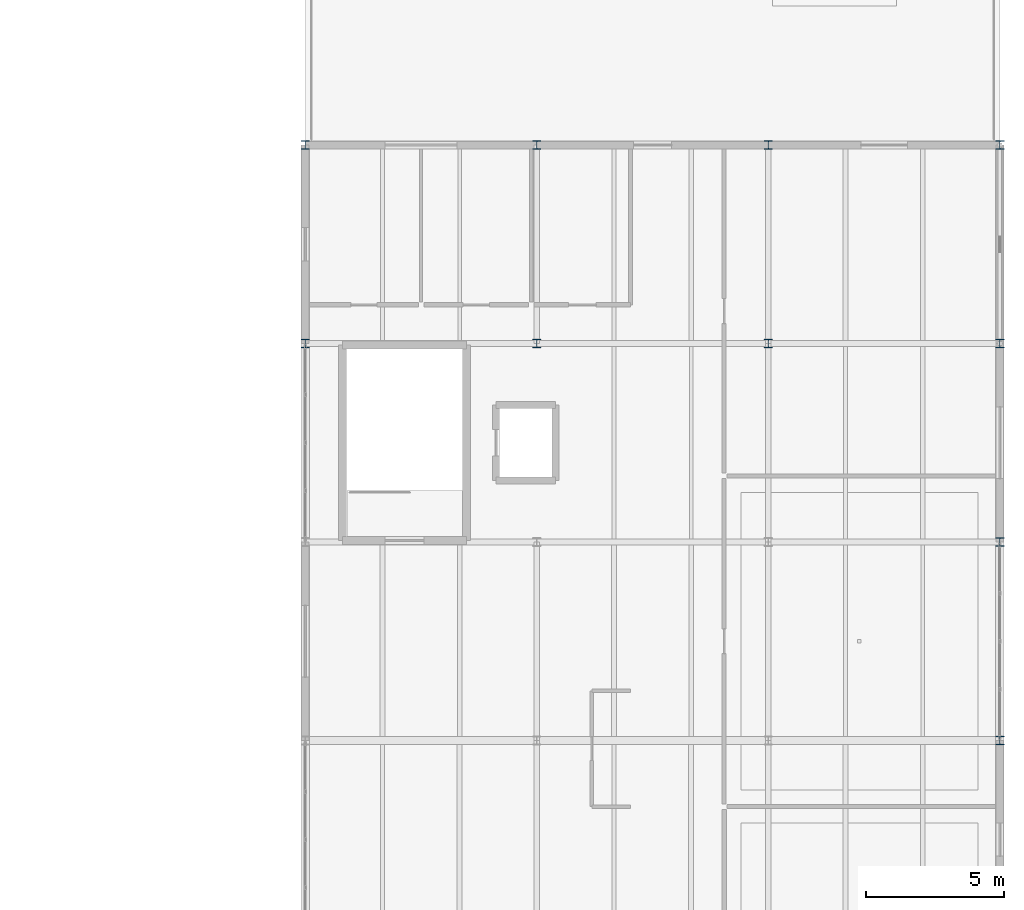
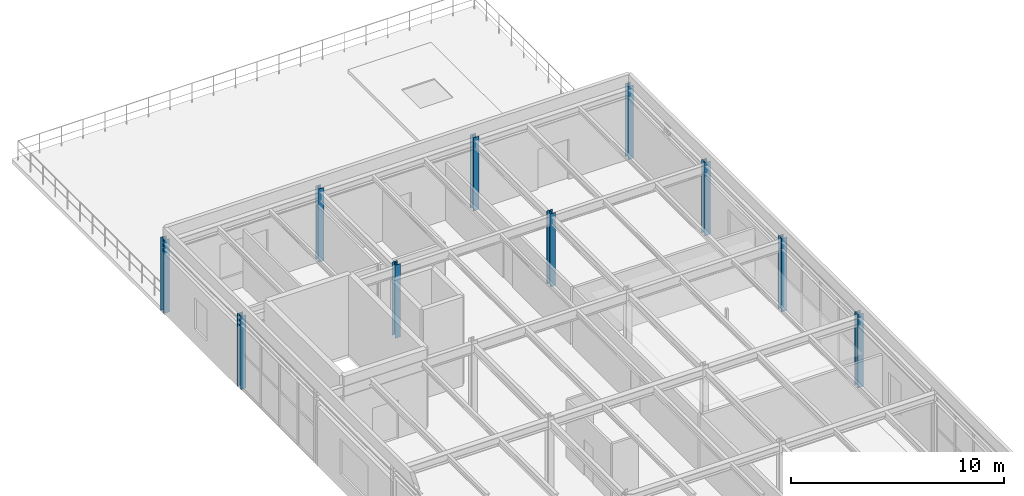
# One storey, part 2 of 77: 10 columns.
"""IFC4 building model written with IfcOpenShell, lengths in metres."""

from ifc_helpers import new_model, si_unit, derived_unit, direction, frame, origin, origin_2d, place, context, subcontext, project, spatial, i_section, extrude, material, material_profile, profile_set, type_object, element, save


model = new_model("IFC4")

# Units and contexts
model_context = context("Model", 3, precision=1e-05, world=origin(), true_north=direction((0.0, 1.0)))
body_context = subcontext(model_context, "Body", "Model", "MODEL_VIEW")
ifc_project = project(units=[si_unit("LENGTHUNIT", "METRE"), si_unit("AREAUNIT", "SQUARE_METRE"), si_unit("VOLUMEUNIT", "CUBIC_METRE"), si_unit("PLANEANGLEUNIT", "RADIAN"), si_unit("MASSUNIT", "GRAM", prefix="KILO"), derived_unit("THERMALTRANSMITTANCEUNIT", [(si_unit("MASSUNIT", "GRAM", prefix="KILO"), 1), (si_unit("TIMEUNIT", "SECOND"), -3), (si_unit("THERMODYNAMICTEMPERATUREUNIT", "KELVIN"), -1)])], contexts=[model_context])

# Site, building, storey
site_placement = place(None, origin())
site = spatial("IfcSite", under=ifc_project, at=site_placement, CompositionType="ELEMENT")
building_placement = place(site_placement, origin())
building = spatial("IfcBuilding", under=site, at=building_placement, Name="Kharveza Railside Sports Centre", CompositionType="ELEMENT")
storey_placement = place(building_placement, frame((0.0, 0.0, 17.10009765625)))
storey = spatial("IfcBuildingStorey", under=building, at=storey_placement, Name="L04", CompositionType="ELEMENT", Elevation=17.10009765625)

# Columns
ifc_material = material(Name="Steel S355J2", Category="steel")
ifc_material_profile = material_profile(ifc_material, i_section(OverallWidth=0.300048828125, OverallDepth=0.31005859375, WebThickness=0.009033203125, FlangeThickness=0.015380859375, FilletRadius=0.027099609375, at=origin_2d()), Name="HEA 320")
ifc_profile_set = profile_set([ifc_material_profile], Name="Steel S355J2")
column_type = type_object("IfcColumnType", Name="COL-S12", PredefinedType="COLUMN", material=ifc_profile_set)
for number, where, z_axis, x_axis, name in (
    (1, (142.800048828125, 64.800048828125, 0.0), (0.0, 0.0, 1.0), (1.0, 0.0, 0.0), "COL-G-C12-X1428-Y648-L04"),
    (2, (142.800048828125, 72.0, 0.0), (0.0, 0.0, 1.0), (1.0, 0.0, 0.0), "COL-G-C12-X1428-Y720-L04"),
    (3, (151.199951171875, 64.800048828125, 0.0), (0.0, 0.0, 1.0), (1.0, 0.0, 0.0), "COL-G-C12-X1512-Y648-L04"),
    (4, (151.199951171875, 72.0, 0.0), (0.0, 0.0, 1.0), (1.0, 0.0, 0.0), "COL-G-C12-X1512-Y720-L04"),
    (5, (159.60009765625, 64.800048828125, 0.0), (0.0, 0.0, 1.0), (1.0, 0.0, 0.0), "COL-G-C12-X1596-Y648-L04"),
    (6, (159.60009765625, 72.0, 0.0), (0.0, 0.0, 1.0), (1.0, 0.0, 0.0), "COL-G-C12-X1596-Y720-L04"),
    (7, (168.0, 50.39990234375, 0.0), (0.0, 0.0, 1.0), (1.0, 0.0, 0.0), "COL-G-C12-X1680-Y504-L04"),
    (8, (168.0, 57.60009765625, 0.0), (0.0, 0.0, 1.0), (1.0, 0.0, 0.0), "COL-G-C12-X1680-Y576-L04"),
    (9, (168.0, 64.800048828125, 0.0), (0.0, 0.0, 1.0), (1.0, 0.0, 0.0), "COL-G-C12-X1680-Y648-L04"),
    (10, (168.0, 72.0, 0.0), (0.0, 0.0, 1.0), (1.0, 0.0, 0.0), "COL-G-C12-X1680-Y720-L04"),
):
    element("IfcColumn", number, at=place(storey_placement, frame(where, z_axis=z_axis, x_axis=x_axis)), inside=storey, type_object=column_type, Name=name, PredefinedType="COLUMN", context=body_context, shape_type="SweptSolid", body=[
        extrude(i_section(OverallWidth=0.300048828125, OverallDepth=0.31005859375, WebThickness=0.009033203125, FlangeThickness=0.015380859375, FilletRadius=0.027099609375, at=origin_2d()), origin(), (0.0, 0.0, 1.0), 4.199951171875),
    ])

save(model, "model.ifc")
